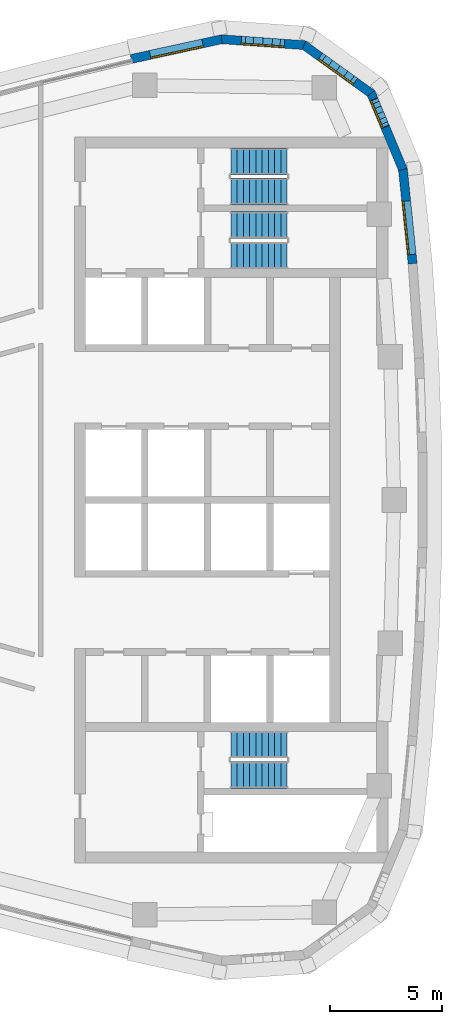
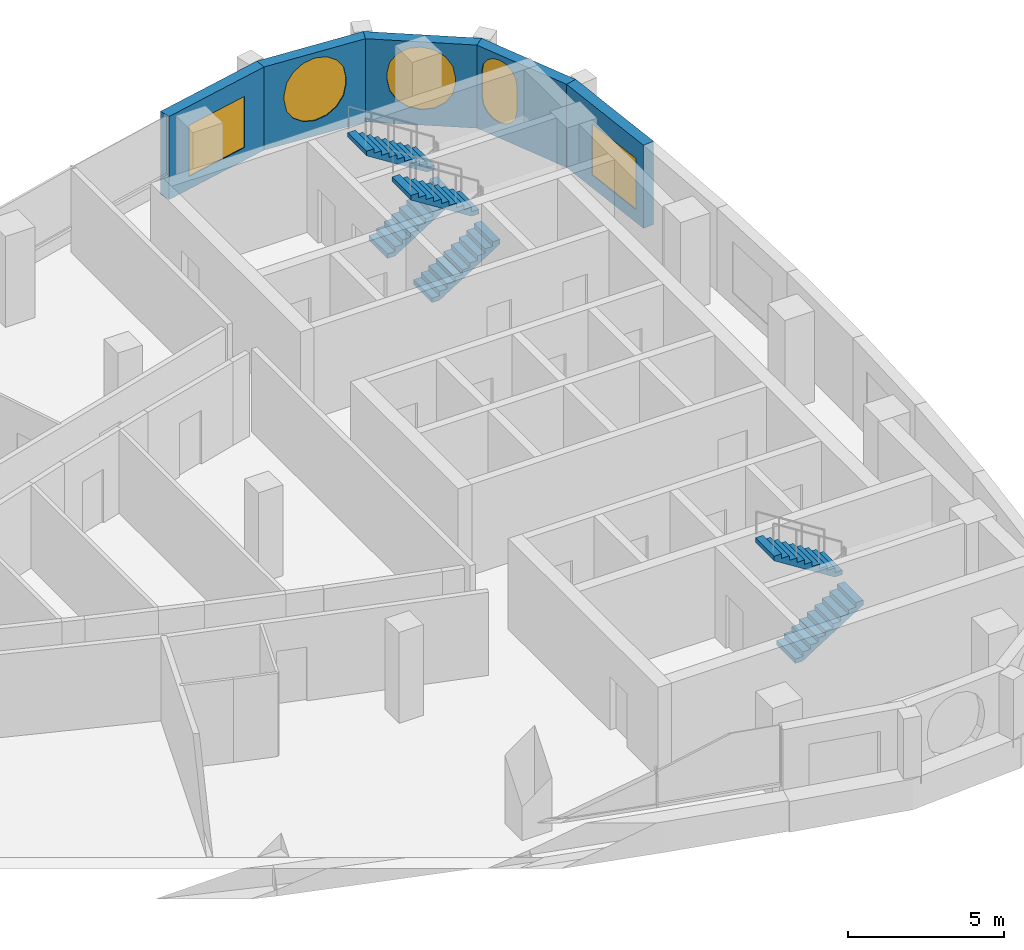
# One storey, part 10 of 14: 6 stair flights, 5 walls, 5 windows, 5 openings, 3 elements without a shape of their own.
"""IFC4 building model written with IfcOpenShell, lengths in metres."""

from ifc_helpers import new_model, si_unit, direction, frame, frame_2d, origin, place, context, subcontext, project, spatial, polyline, rectangle, outline, extrude, material, layer, layer_set, type_object, element, fill, aggregate, save


model = new_model("IFC4")

# Units and contexts
model_context = context("Model", 3, precision=1e-05, world=origin(), true_north=direction((0.0, 1.0)))
body_context = subcontext(model_context, "Body", "Model", "MODEL_VIEW")
ifc_project = project(units=[si_unit("LENGTHUNIT", "METRE"), si_unit("AREAUNIT", "SQUARE_METRE"), si_unit("VOLUMEUNIT", "CUBIC_METRE"), si_unit("PLANEANGLEUNIT", "RADIAN"), si_unit("MASSUNIT", "GRAM", prefix="KILO")], contexts=[model_context])

# Site, building, storey
site_placement = place(None, origin())
site = spatial("IfcSite", under=ifc_project, at=site_placement, CompositionType="ELEMENT")
building_placement = place(site_placement, origin())
building = spatial("IfcBuilding", under=site, at=building_placement, Name="Ostrand Prow Hotel Tower", CompositionType="ELEMENT")
storey_placement = place(building_placement, frame((0.0, 0.0, 275.0)))
storey = spatial("IfcBuildingStorey", under=building, at=storey_placement, Name="L69", CompositionType="ELEMENT", Elevation=275.0)

# Wall, opening, window
ifc_material_1 = material(Name="Precast concrete C40/50", Category="concrete")
ifc_layer = layer(ifc_material_1, 0.39990234375)
ifc_layer_set = layer_set([ifc_layer], Name="Precast concrete C40/50")
wall_type = type_object("IfcWallType", Name="Stone-faced precast wall 400 mm", PredefinedType="NOTDEFINED", material=ifc_layer_set)
wall_1_placement = place(storey_placement, frame((65.3310546875, 10.5712890625, 0.0), z_axis=(0.0, 0.0, 1.0), x_axis=(-0.102249826987, 0.994758751096, 0.0)))
wall_1 = element("IfcWall", 1, at=wall_1_placement, inside=storey, type_object=wall_type, Name="Stone-faced wall back 11", PredefinedType="NOTDEFINED", context=body_context, shape_type="SweptSolid", body=[
    extrude(outline(polyline([(-0.00341796875, -0.199951171875), (4.262939453125, -0.199951171875), (4.203857421875, 0.199951171875), (0.00341796875, 0.199951171875), (-0.00341796875, -0.199951171875)])), origin(), (0.0, 0.0, 1.0), 3.25),
])
opening_1_placement = place(wall_1_placement, frame((0.416748046875, 0.0, 0.5)))
opening_1 = element("IfcOpeningElement", 2, at=opening_1_placement, cuts=wall_1, Name="Opening WA1", PredefinedType="OPENING", context=body_context, shape_type="SweptSolid", body=[
    extrude(rectangle(XDim=2.39990234375, YDim=2.0, at=frame_2d((1.199951171875, 1.0))), frame((0.0, 0.2099609375, 0.0), z_axis=(0.0, -1.0, 0.0), x_axis=(1.0, 0.0, 0.0)), (0.0, 0.0, 1.0), 0.419921875),
])
ifc_material_2 = material(Name="Insulated glass in bronze frame", Category="glass")
window_type_1 = type_object("IfcWindowType", Name="Amenity picture window 2400x2000", PartitioningType="SINGLE_PANEL", PredefinedType="WINDOW", material=ifc_material_2)
window_1_placement = place(opening_1_placement, origin())
window_1 = element("IfcWindow", 3, at=window_1_placement, inside=storey, type_object=window_type_1, Name="Window back 11.1", OverallHeight=2.0, OverallWidth=2.39990234375, PartitioningType="SINGLE_PANEL", PredefinedType="WINDOW", context=body_context, shape_type="SweptSolid", body=[
    extrude(rectangle(XDim=2.39990234375, YDim=2.0, at=frame_2d((1.199951171875, 1.0))), frame((0.0, 0.169921875, 0.0), z_axis=(0.0, -1.0, 0.0), x_axis=(1.0, 0.0, 0.0)), (0.0, 0.0, 1.0), 0.06005859375),
])
fill(opening_1, window_1)

wall_2_placement = place(storey_placement, frame((64.898193359375, 14.782470703125, 0.0), z_axis=(0.0, 0.0, 1.0), x_axis=(-0.385285857918, 0.922797273343, 0.0)))
wall_2 = element("IfcWall", 4, at=wall_2_placement, inside=storey, type_object=wall_type, Name="Stone-faced wall back 12", PredefinedType="NOTDEFINED", context=body_context, shape_type="SweptSolid", body=[
    extrude(outline(polyline([(-0.029541015625, -0.199951171875), (3.75341796875, -0.199951171875), (3.64013671875, 0.199951171875), (0.029541015625, 0.199951171875), (-0.029541015625, -0.199951171875)])), origin(), (0.0, 0.0, 1.0), 3.25),
])
opening_2_placement = place(wall_2_placement, frame((2.035400390625, 0.0, 0.60009765625)))
opening_2 = element("IfcOpeningElement", 5, at=opening_2_placement, cuts=wall_2, Name="Opening WP2-14", PredefinedType="OPENING", context=body_context, shape_type="SweptSolid", body=[
    extrude(outline(polyline([(0.0, 1.75), (0.05322265625, 2.017822265625), (0.205078125, 2.244873046875), (0.43212890625, 2.396728515625), (0.699951171875, 2.449951171875), (0.9677734375, 2.396728515625), (1.19482421875, 2.244873046875), (1.3466796875, 2.017822265625), (1.39990234375, 1.75), (1.39990234375, 0.699951171875), (1.3466796875, 0.43212890625), (1.19482421875, 0.205078125), (0.9677734375, 0.05322265625), (0.699951171875, 0.0), (0.43212890625, 0.05322265625), (0.205078125, 0.205078125), (0.05322265625, 0.43212890625), (0.0, 0.699951171875), (0.0, 1.75)])), frame((0.0, 0.2099609375, 0.0), z_axis=(0.0, -1.0, 0.0), x_axis=(1.0, 0.0, 0.0)), (0.0, 0.0, 1.0), 0.419921875),
])
ifc_material_3 = material(Name="Insulated glass in bronze frame", Category="glass")
window_type_2 = type_object("IfcWindowType", Name="Round-ended prow lounge window 1400x2450", PartitioningType="SINGLE_PANEL", PredefinedType="WINDOW", material=ifc_material_3)
window_2_placement = place(opening_2_placement, origin())
window_2 = element("IfcWindow", 6, at=window_2_placement, inside=storey, type_object=window_type_2, Name="Window back 12.1", OverallHeight=2.449951171875, OverallWidth=1.39990234375, PartitioningType="SINGLE_PANEL", PredefinedType="WINDOW", context=body_context, shape_type="SweptSolid", body=[
    extrude(outline(polyline([(0.0, 1.75), (0.05322265625, 2.017822265625), (0.205078125, 2.244873046875), (0.43212890625, 2.396728515625), (0.699951171875, 2.449951171875), (0.9677734375, 2.396728515625), (1.19482421875, 2.244873046875), (1.3466796875, 2.017822265625), (1.39990234375, 1.75), (1.39990234375, 0.699951171875), (1.3466796875, 0.43212890625), (1.19482421875, 0.205078125), (0.9677734375, 0.05322265625), (0.699951171875, 0.0), (0.43212890625, 0.05322265625), (0.205078125, 0.205078125), (0.05322265625, 0.43212890625), (0.0, 0.699951171875), (0.0, 1.75)])), frame((0.0, 0.169921875, 0.0), z_axis=(0.0, -1.0, 0.0), x_axis=(1.0, 0.0, 0.0)), (0.0, 0.0, 1.0), 0.06005859375),
])
fill(opening_2, window_2)

wall_3_placement = place(storey_placement, frame((63.473876953125, 18.19384765625, 0.0), z_axis=(0.0, 0.0, 1.0), x_axis=(-0.811962548682, 0.583709533533, 0.0)))
wall_3 = element("IfcWall", 7, at=wall_3_placement, inside=storey, type_object=wall_type, Name="Stone-faced wall back 13", PredefinedType="NOTDEFINED", context=body_context, shape_type="SweptSolid", body=[
    extrude(outline(polyline([(-0.056640625, -0.199951171875), (3.753173828125, -0.199951171875), (3.639892578125, 0.199951171875), (0.056640625, 0.199951171875), (-0.056640625, -0.199951171875)])), origin(), (0.0, 0.0, 1.0), 3.25),
])
opening_3_placement = place(wall_3_placement, frame((0.748291015625, 0.0, 0.60009765625)))
opening_3 = element("IfcOpeningElement", 8, at=opening_3_placement, cuts=wall_3, Name="Opening WP2", PredefinedType="OPENING", context=body_context, shape_type="SweptSolid", body=[
    extrude(outline(polyline([(0.0, 1.35009765625), (0.083740234375, 1.77099609375), (0.322265625, 2.127685546875), (0.678955078125, 2.3662109375), (1.10009765625, 2.449951171875), (1.52099609375, 2.3662109375), (1.877685546875, 2.127685546875), (2.1162109375, 1.77099609375), (2.199951171875, 1.35009765625), (2.199951171875, 1.10009765625), (2.1162109375, 0.678955078125), (1.877685546875, 0.322265625), (1.52099609375, 0.083740234375), (1.10009765625, 0.0), (0.678955078125, 0.083740234375), (0.322265625, 0.322265625), (0.083740234375, 0.678955078125), (0.0, 1.099853515625), (0.0, 1.35009765625)])), frame((0.0, 0.2099609375, 0.0), z_axis=(0.0, -1.0, 0.0), x_axis=(1.0, 0.0, 0.0)), (0.0, 0.0, 1.0), 0.419921875),
])
ifc_material_4 = material(Name="Insulated glass in bronze frame", Category="glass")
window_type_3 = type_object("IfcWindowType", Name="Round-ended prow lounge window 2200x2450", PartitioningType="SINGLE_PANEL", PredefinedType="WINDOW", material=ifc_material_4)
window_3_placement = place(opening_3_placement, origin())
window_3 = element("IfcWindow", 9, at=window_3_placement, inside=storey, type_object=window_type_3, Name="Window back 13.1", OverallHeight=2.449951171875, OverallWidth=2.199951171875, PartitioningType="SINGLE_PANEL", PredefinedType="WINDOW", context=body_context, shape_type="SweptSolid", body=[
    extrude(outline(polyline([(0.0, 1.35009765625), (0.083740234375, 1.77099609375), (0.322265625, 2.127685546875), (0.678955078125, 2.3662109375), (1.10009765625, 2.449951171875), (1.52099609375, 2.3662109375), (1.877685546875, 2.127685546875), (2.1162109375, 1.77099609375), (2.199951171875, 1.35009765625), (2.199951171875, 1.10009765625), (2.1162109375, 0.678955078125), (1.877685546875, 0.322265625), (1.52099609375, 0.083740234375), (1.10009765625, 0.0), (0.678955078125, 0.083740234375), (0.322265625, 0.322265625), (0.083740234375, 0.678955078125), (0.0, 1.099853515625), (0.0, 1.35009765625)])), frame((0.0, 0.169921875, 0.0), z_axis=(0.0, -1.0, 0.0), x_axis=(1.0, 0.0, 0.0)), (0.0, 0.0, 1.0), 0.06005859375),
])
fill(opening_3, window_3)

wall_4_placement = place(storey_placement, frame((60.472412109375, 20.3515625, 0.0), z_axis=(0.0, 0.0, 1.0), x_axis=(-0.99746272096, 0.071190731806, 0.0)))
wall_4 = element("IfcWall", 10, at=wall_4_placement, inside=storey, type_object=wall_type, Name="Stone-faced wall back 14", PredefinedType="NOTDEFINED", context=body_context, shape_type="SweptSolid", body=[
    extrude(outline(polyline([(-0.056640625, -0.199951171875), (3.7255859375, -0.199951171875), (3.66796875, 0.199951171875), (0.056640625, 0.199951171875), (-0.056640625, -0.199951171875)])), origin(), (0.0, 0.0, 1.0), 3.25),
])
opening_4_placement = place(wall_4_placement, frame((0.748291015625, 0.0, 0.60009765625)))
opening_4 = element("IfcOpeningElement", 11, at=opening_4_placement, cuts=wall_4, Name="Opening WP2", PredefinedType="OPENING", context=body_context, shape_type="SweptSolid", body=[
    extrude(outline(polyline([(0.0, 1.35009765625), (0.083740234375, 1.77099609375), (0.322265625, 2.127685546875), (0.678955078125, 2.3662109375), (1.10009765625, 2.449951171875), (1.52099609375, 2.3662109375), (1.877685546875, 2.127685546875), (2.1162109375, 1.77099609375), (2.199951171875, 1.35009765625), (2.199951171875, 1.10009765625), (2.1162109375, 0.678955078125), (1.877685546875, 0.322265625), (1.52099609375, 0.083740234375), (1.10009765625, 0.0), (0.678955078125, 0.083740234375), (0.322265625, 0.322265625), (0.083740234375, 0.678955078125), (0.0, 1.099853515625), (0.0, 1.35009765625)])), frame((0.0, 0.2099609375, 0.0), z_axis=(0.0, -1.0, 0.0), x_axis=(1.0, 0.0, 0.0)), (0.0, 0.0, 1.0), 0.419921875),
])
window_4_placement = place(opening_4_placement, origin())
window_4 = element("IfcWindow", 12, at=window_4_placement, inside=storey, type_object=window_type_3, Name="Window back 14.1", OverallHeight=2.449951171875, OverallWidth=2.199951171875, PartitioningType="SINGLE_PANEL", PredefinedType="WINDOW", context=body_context, shape_type="SweptSolid", body=[
    extrude(outline(polyline([(0.0, 1.35009765625), (0.083740234375, 1.77099609375), (0.322265625, 2.127685546875), (0.678955078125, 2.3662109375), (1.10009765625, 2.449951171875), (1.52099609375, 2.3662109375), (1.877685546875, 2.127685546875), (2.1162109375, 1.77099609375), (2.199951171875, 1.35009765625), (2.199951171875, 1.10009765625), (2.1162109375, 0.678955078125), (1.877685546875, 0.322265625), (1.52099609375, 0.083740234375), (1.10009765625, 0.0), (0.678955078125, 0.083740234375), (0.322265625, 0.322265625), (0.083740234375, 0.678955078125), (0.0, 1.099853515625), (0.0, 1.35009765625)])), frame((0.0, 0.169921875, 0.0), z_axis=(0.0, -1.0, 0.0), x_axis=(1.0, 0.0, 0.0)), (0.0, 0.0, 1.0), 0.06005859375),
])
fill(opening_4, window_4)

wall_5_placement = place(storey_placement, frame((56.784912109375, 20.61474609375, 0.0), z_axis=(0.0, 0.0, 1.0), x_axis=(-0.977020225348, -0.213146614471, 0.0)))
wall_5 = element("IfcWall", 13, at=wall_5_placement, inside=storey, type_object=wall_type, Name="Stone-faced wall back 15", PredefinedType="NOTDEFINED", context=body_context, shape_type="SweptSolid", body=[
    extrude(outline(polyline([(-0.02880859375, -0.199951171875), (4.141845703125, -0.199951171875), (4.141845703125, 0.199951171875), (0.02880859375, 0.199951171875), (-0.02880859375, -0.199951171875)])), origin(), (0.0, 0.0, 1.0), 3.25),
])
opening_5_placement = place(wall_5_placement, frame((0.870849609375, 0.0, 0.5)))
opening_5 = element("IfcOpeningElement", 14, at=opening_5_placement, cuts=wall_5, Name="Opening WA1", PredefinedType="OPENING", context=body_context, shape_type="SweptSolid", body=[
    extrude(rectangle(XDim=2.39990234375, YDim=2.0, at=frame_2d((1.199951171875, 1.0))), frame((0.0, 0.2099609375, 0.0), z_axis=(0.0, -1.0, 0.0), x_axis=(1.0, 0.0, 0.0)), (0.0, 0.0, 1.0), 0.419921875),
])
window_5_placement = place(opening_5_placement, origin())
window_5 = element("IfcWindow", 15, at=window_5_placement, inside=storey, type_object=window_type_1, Name="Window back 15.1", OverallHeight=2.0, OverallWidth=2.39990234375, PartitioningType="SINGLE_PANEL", PredefinedType="WINDOW", context=body_context, shape_type="SweptSolid", body=[
    extrude(rectangle(XDim=2.39990234375, YDim=2.0, at=frame_2d((1.199951171875, 1.0))), frame((0.0, 0.169921875, 0.0), z_axis=(0.0, -1.0, 0.0), x_axis=(1.0, 0.0, 0.0)), (0.0, 0.0, 1.0), 0.06005859375),
])
fill(opening_5, window_5)

# Stair, stair flights
ifc_material_5 = material(Name="Concrete C40/50", Category="concrete")
stair_type = type_object("IfcStairType", Name="Exit stair 1200 upper zone", PredefinedType="HALF_TURN_STAIR", material=ifc_material_5)
stair_1_placement = place(storey_placement, origin())
stair_1 = element("IfcStair", 16, at=stair_1_placement, inside=storey, type_object=stair_type, Name="L69 ST1C", PredefinedType="HALF_TURN_STAIR")
ifc_material_6 = material(Name="Concrete C40/50", Category="concrete")
stair_flight_type = type_object("IfcStairFlightType", Name="Stair flight 1200 concrete", PredefinedType="STRAIGHT", material=ifc_material_6)
stair_flight_1_placement = place(storey_placement, frame((57.199951171875, 10.949951171875, 0.0), z_axis=(0.0, 0.0, 1.0), x_axis=(1.0, 0.0, 0.0)))
stair_flight_1 = element("IfcStairFlight", 17, at=stair_flight_1_placement, type_object=stair_flight_type, Name="ST1C flight 1", NumberOfRisers=10, NumberOfTreads=9, PredefinedType="STRAIGHT", RiserHeight=0.1775, TreadLength=0.28, context=body_context, shape_type="SweptSolid", body=[
    extrude(outline(polyline([(0.0, 0.0), (0.0, 0.177490234375), (0.280029296875, 0.177490234375), (0.280029296875, 0.35498046875), (0.56005859375, 0.35498046875), (0.56005859375, 0.532470703125), (0.840087890625, 0.532470703125), (0.840087890625, 0.7099609375), (1.1201171875, 0.7099609375), (1.1201171875, 0.887451171875), (1.39990234375, 0.887451171875), (1.39990234375, 1.06494140625), (1.679931640625, 1.06494140625), (1.679931640625, 1.242431640625), (1.9599609375, 1.242431640625), (1.9599609375, 1.419921875), (2.239990234375, 1.419921875), (2.239990234375, 1.597412109375), (2.52001953125, 1.597412109375), (2.52001953125, 1.77490234375), (2.52001953125, 1.419921875), (0.280029296875, 0.0), (0.0, 0.0)])), frame((0.0, 0.60009765625, 0.0), z_axis=(0.0, -1.0, 0.0), x_axis=(1.0, 0.0, 0.0)), (0.0, 0.0, 1.0), 1.199951171875),
])
stair_flight_2_placement = place(storey_placement, frame((59.719970703125, 12.300048828125, 1.77490234375), z_axis=(0.0, 0.0, 1.0), x_axis=(-1.0, 0.0, 0.0)))
stair_flight_2 = element("IfcStairFlight", 18, at=stair_flight_2_placement, type_object=stair_flight_type, Name="ST1C flight 2", NumberOfRisers=10, NumberOfTreads=9, PredefinedType="STRAIGHT", RiserHeight=0.1775, TreadLength=0.28, context=body_context, shape_type="SweptSolid", body=[
    extrude(outline(polyline([(0.0, 0.0), (0.0, 0.177490234375), (0.280029296875, 0.177490234375), (0.280029296875, 0.35498046875), (0.56005859375, 0.35498046875), (0.56005859375, 0.532470703125), (0.840087890625, 0.532470703125), (0.840087890625, 0.7099609375), (1.1201171875, 0.7099609375), (1.1201171875, 0.887451171875), (1.39990234375, 0.887451171875), (1.39990234375, 1.06494140625), (1.679931640625, 1.06494140625), (1.679931640625, 1.242431640625), (1.9599609375, 1.242431640625), (1.9599609375, 1.419921875), (2.239990234375, 1.419921875), (2.239990234375, 1.597412109375), (2.52001953125, 1.597412109375), (2.52001953125, 1.77490234375), (2.52001953125, 1.419921875), (0.280029296875, 0.0), (0.0, 0.0)])), frame((0.0, 0.60009765625, 0.0), z_axis=(0.0, -1.0, 0.0), x_axis=(1.0, 0.0, 0.0)), (0.0, 0.0, 1.0), 1.199951171875),
])
aggregate(stair_1, [stair_flight_1, stair_flight_2])

stair_2_placement = place(storey_placement, origin())
stair_2 = element("IfcStair", 19, at=stair_2_placement, inside=storey, type_object=stair_type, Name="L69 ST3C", PredefinedType="HALF_TURN_STAIR")
stair_flight_3_placement = place(storey_placement, frame((57.199951171875, 13.800048828125, 0.0), z_axis=(0.0, 0.0, 1.0), x_axis=(1.0, 0.0, 0.0)))
stair_flight_3 = element("IfcStairFlight", 20, at=stair_flight_3_placement, type_object=stair_flight_type, Name="ST3C flight 1", NumberOfRisers=10, NumberOfTreads=9, PredefinedType="STRAIGHT", RiserHeight=0.1775, TreadLength=0.28, context=body_context, shape_type="SweptSolid", body=[
    extrude(outline(polyline([(0.0, 0.0), (0.0, 0.177490234375), (0.280029296875, 0.177490234375), (0.280029296875, 0.35498046875), (0.56005859375, 0.35498046875), (0.56005859375, 0.532470703125), (0.840087890625, 0.532470703125), (0.840087890625, 0.7099609375), (1.1201171875, 0.7099609375), (1.1201171875, 0.887451171875), (1.39990234375, 0.887451171875), (1.39990234375, 1.06494140625), (1.679931640625, 1.06494140625), (1.679931640625, 1.242431640625), (1.9599609375, 1.242431640625), (1.9599609375, 1.419921875), (2.239990234375, 1.419921875), (2.239990234375, 1.597412109375), (2.52001953125, 1.597412109375), (2.52001953125, 1.77490234375), (2.52001953125, 1.419921875), (0.280029296875, 0.0), (0.0, 0.0)])), frame((0.0, 0.60009765625, 0.0), z_axis=(0.0, -1.0, 0.0), x_axis=(1.0, 0.0, 0.0)), (0.0, 0.0, 1.0), 1.199951171875),
])
stair_flight_4_placement = place(storey_placement, frame((59.719970703125, 15.14990234375, 1.77490234375), z_axis=(0.0, 0.0, 1.0), x_axis=(-1.0, 0.0, 0.0)))
stair_flight_4 = element("IfcStairFlight", 21, at=stair_flight_4_placement, type_object=stair_flight_type, Name="ST3C flight 2", NumberOfRisers=10, NumberOfTreads=9, PredefinedType="STRAIGHT", RiserHeight=0.1775, TreadLength=0.28, context=body_context, shape_type="SweptSolid", body=[
    extrude(outline(polyline([(0.0, 0.0), (0.0, 0.177490234375), (0.280029296875, 0.177490234375), (0.280029296875, 0.35498046875), (0.56005859375, 0.35498046875), (0.56005859375, 0.532470703125), (0.840087890625, 0.532470703125), (0.840087890625, 0.7099609375), (1.1201171875, 0.7099609375), (1.1201171875, 0.887451171875), (1.39990234375, 0.887451171875), (1.39990234375, 1.06494140625), (1.679931640625, 1.06494140625), (1.679931640625, 1.242431640625), (1.9599609375, 1.242431640625), (1.9599609375, 1.419921875), (2.239990234375, 1.419921875), (2.239990234375, 1.597412109375), (2.52001953125, 1.597412109375), (2.52001953125, 1.77490234375), (2.52001953125, 1.419921875), (0.280029296875, 0.0), (0.0, 0.0)])), frame((0.0, 0.60009765625, 0.0), z_axis=(0.0, -1.0, 0.0), x_axis=(1.0, 0.0, 0.0)), (0.0, 0.0, 1.0), 1.199951171875),
])
aggregate(stair_2, [stair_flight_3, stair_flight_4])

stair_3_placement = place(storey_placement, origin())
stair_3 = element("IfcStair", 22, at=stair_3_placement, inside=storey, type_object=stair_type, Name="L69 ST2C", PredefinedType="HALF_TURN_STAIR")
stair_flight_5_placement = place(storey_placement, frame((57.199951171875, -12.300048828125, 0.0), z_axis=(0.0, 0.0, 1.0), x_axis=(1.0, 0.0, 0.0)))
stair_flight_5 = element("IfcStairFlight", 23, at=stair_flight_5_placement, type_object=stair_flight_type, Name="ST2C flight 1", NumberOfRisers=10, NumberOfTreads=9, PredefinedType="STRAIGHT", RiserHeight=0.1775, TreadLength=0.28, context=body_context, shape_type="SweptSolid", body=[
    extrude(outline(polyline([(0.0, 0.0), (0.0, 0.177490234375), (0.280029296875, 0.177490234375), (0.280029296875, 0.35498046875), (0.56005859375, 0.35498046875), (0.56005859375, 0.532470703125), (0.840087890625, 0.532470703125), (0.840087890625, 0.7099609375), (1.1201171875, 0.7099609375), (1.1201171875, 0.887451171875), (1.39990234375, 0.887451171875), (1.39990234375, 1.06494140625), (1.679931640625, 1.06494140625), (1.679931640625, 1.242431640625), (1.9599609375, 1.242431640625), (1.9599609375, 1.419921875), (2.239990234375, 1.419921875), (2.239990234375, 1.597412109375), (2.52001953125, 1.597412109375), (2.52001953125, 1.77490234375), (2.52001953125, 1.419921875), (0.280029296875, 0.0), (0.0, 0.0)])), frame((0.0, 0.60009765625, 0.0), z_axis=(0.0, -1.0, 0.0), x_axis=(1.0, 0.0, 0.0)), (0.0, 0.0, 1.0), 1.199951171875),
])
stair_flight_6_placement = place(storey_placement, frame((59.719970703125, -10.949951171875, 1.77490234375), z_axis=(0.0, 0.0, 1.0), x_axis=(-1.0, 0.0, 0.0)))
stair_flight_6 = element("IfcStairFlight", 24, at=stair_flight_6_placement, type_object=stair_flight_type, Name="ST2C flight 2", NumberOfRisers=10, NumberOfTreads=9, PredefinedType="STRAIGHT", RiserHeight=0.1775, TreadLength=0.28, context=body_context, shape_type="SweptSolid", body=[
    extrude(outline(polyline([(0.0, 0.0), (0.0, 0.177490234375), (0.280029296875, 0.177490234375), (0.280029296875, 0.35498046875), (0.56005859375, 0.35498046875), (0.56005859375, 0.532470703125), (0.840087890625, 0.532470703125), (0.840087890625, 0.7099609375), (1.1201171875, 0.7099609375), (1.1201171875, 0.887451171875), (1.39990234375, 0.887451171875), (1.39990234375, 1.06494140625), (1.679931640625, 1.06494140625), (1.679931640625, 1.242431640625), (1.9599609375, 1.242431640625), (1.9599609375, 1.419921875), (2.239990234375, 1.419921875), (2.239990234375, 1.597412109375), (2.52001953125, 1.597412109375), (2.52001953125, 1.77490234375), (2.52001953125, 1.419921875), (0.280029296875, 0.0), (0.0, 0.0)])), frame((0.0, 0.60009765625, 0.0), z_axis=(0.0, -1.0, 0.0), x_axis=(1.0, 0.0, 0.0)), (0.0, 0.0, 1.0), 1.199951171875),
])
aggregate(stair_3, [stair_flight_5, stair_flight_6])

save(model, "model.ifc")
